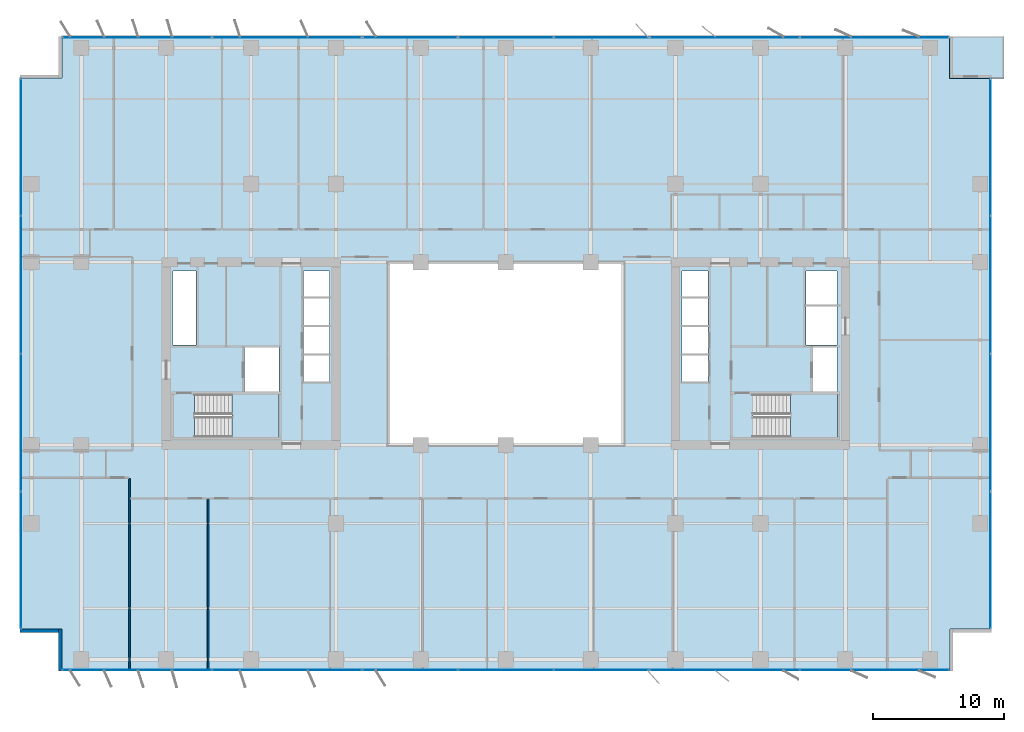
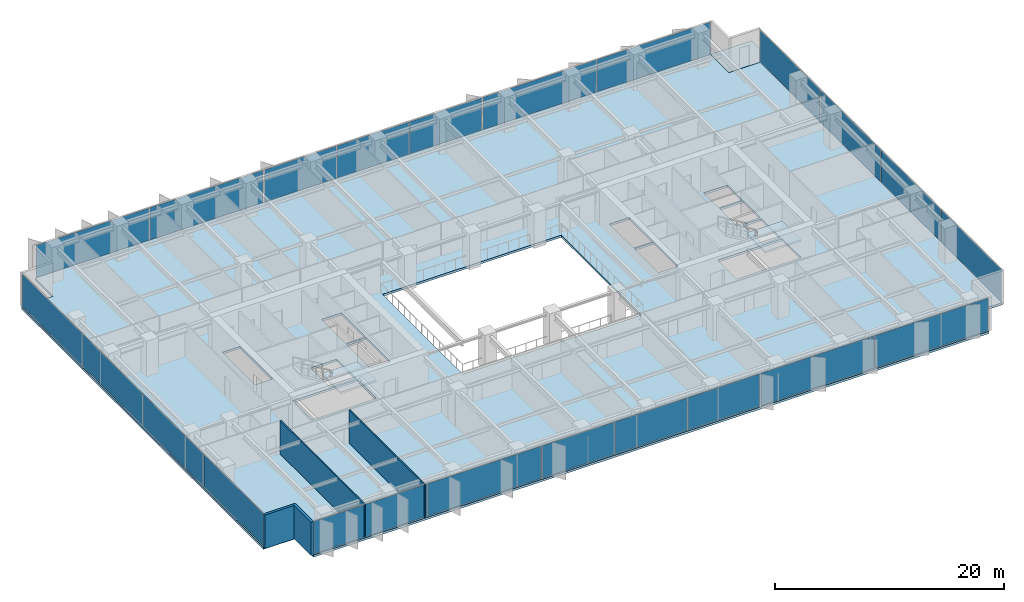
# One storey, part 12 of 20: 22 plates, 4 slabs, 4 walls, 10 elements without a shape of their own.
"""IFC4 building model written with IfcOpenShell, lengths in metres."""

from ifc_helpers import new_model, si_unit, direction, frame, frame_2d, origin, origin_2d, place, context, subcontext, project, spatial, polyline, rectangle, outline, extrude, material, layer, layer_set, type_object, element, aggregate, save


model = new_model("IFC4")

# Units and contexts
model_context = context("Model", 3, precision=1e-05, world=origin(), true_north=direction((0.0, 1.0)))
body_context = subcontext(model_context, "Body", "Model", "MODEL_VIEW")
ifc_project = project(units=[si_unit("LENGTHUNIT", "METRE"), si_unit("AREAUNIT", "SQUARE_METRE"), si_unit("VOLUMEUNIT", "CUBIC_METRE"), si_unit("PLANEANGLEUNIT", "RADIAN"), si_unit("MASSUNIT", "GRAM", prefix="KILO")], contexts=[model_context])

# Site, building, storey
site_placement = place(None, origin())
site = spatial("IfcSite", under=ifc_project, at=site_placement, CompositionType="ELEMENT")
building_placement = place(site_placement, origin())
building = spatial("IfcBuilding", under=site, at=building_placement, Name="Putna Gate Headquarters", CompositionType="ELEMENT")
storey_placement = place(building_placement, frame((0.0, 0.0, 131.60009765625)))
storey = spatial("IfcBuildingStorey", under=building, at=storey_placement, Name="L32", CompositionType="ELEMENT", Elevation=131.60009765625)

# Stair, slab
ifc_material_1 = material(Name="Concrete C40/50", Category="concrete")
stair_type_1 = type_object("IfcStairType", Name="STAIR-ST1", PredefinedType="HALF_TURN_STAIR", material=ifc_material_1)
stair_1_placement = place(storey_placement, origin())
stair_1 = element("IfcStair", 1, at=stair_1_placement, inside=storey, type_object=stair_type_1, Name="L32 West Core Exit Stair ST1", PredefinedType="HALF_TURN_STAIR")
ifc_layer_1 = layer(ifc_material_1, 0.199951171875)
ifc_layer_set_1 = layer_set([ifc_layer_1], Name="Concrete C40/50")
slab_type_1 = type_object("IfcSlabType", Name="LANDING-ST1", PredefinedType="LANDING", material=ifc_layer_set_1)
slab_1_placement = place(storey_placement, frame((0.0, 0.0, 1.699951171875)))
slab_1 = element("IfcSlab", 2, at=slab_1_placement, type_object=slab_type_1, Name="ST1 landing 1", PredefinedType="LANDING", context=body_context, shape_type="SweptSolid", body=[
    extrude(outline(polyline([(18.050048828125, 19.60009765625), (21.64990234375, 19.60009765625), (21.64990234375, 22.89990234375), (18.050048828125, 22.89990234375), (18.050048828125, 19.60009765625)])), origin(), (0.0, 0.0, 1.0), 0.199951171875),
])
aggregate(stair_1, [slab_1])

stair_type_2 = type_object("IfcStairType", Name="STAIR-ST2", PredefinedType="HALF_TURN_STAIR", material=ifc_material_1)
stair_2_placement = place(storey_placement, origin())
stair_2 = element("IfcStair", 3, at=stair_2_placement, inside=storey, type_object=stair_type_2, Name="L32 East Core Exit Stair ST2", PredefinedType="HALF_TURN_STAIR")
ifc_layer_2 = layer(ifc_material_1, 0.199951171875)
ifc_layer_set_2 = layer_set([ifc_layer_2], Name="Concrete C40/50")
slab_type_2 = type_object("IfcSlabType", Name="LANDING-ST2", PredefinedType="LANDING", material=ifc_layer_set_2)
slab_2_placement = place(storey_placement, frame((0.0, 0.0, 1.699951171875)))
slab_2 = element("IfcSlab", 4, at=slab_2_placement, type_object=slab_type_2, Name="ST2 landing 1", PredefinedType="LANDING", context=body_context, shape_type="SweptSolid", body=[
    extrude(outline(polyline([(60.800048828125, 19.60009765625), (64.39990234375, 19.60009765625), (64.39990234375, 22.89990234375), (60.800048828125, 22.89990234375), (60.800048828125, 19.60009765625)])), origin(), (0.0, 0.0, 1.0), 0.199951171875),
])
aggregate(stair_2, [slab_2])

# Curtain wall, plates
ifc_material_2 = material(Name="Anodised bronze aluminium curtain wall", Category="aluminium")
ifc_layer_3 = layer(ifc_material_2, 0.159912109375)
ifc_layer_set_3 = layer_set([ifc_layer_3], Name="Anodised bronze aluminium curtain wall")
curtain_wall_type_1 = type_object("IfcCurtainWallType", Name="CW-SYS-Z2", PredefinedType="USERDEFINED", material=ifc_layer_set_3)
curtain_wall_1_placement = place(storey_placement, origin())
curtain_wall_1 = element("IfcCurtainWall", 5, at=curtain_wall_1_placement, inside=storey, type_object=curtain_wall_type_1, Name="L32 South West Curtain Wall", ObjectType="STICK CURTAIN WALL", PredefinedType="USERDEFINED")
ifc_material_3 = material(Name="Solar-control triple low-E glass", Category="glass")
ifc_layer_4 = layer(ifc_material_3, 0.030029296875)
ifc_layer_set_4 = layer_set([ifc_layer_4], Name="Solar-control triple low-E glass")
plate_type_1 = type_object("IfcPlateType", Name="PAN-CWP-2", PredefinedType="CURTAIN_PANEL", material=ifc_layer_set_4)
plate_1_placement = place(storey_placement, frame((10.766357421875, 1.780029296875, 0.06494140625), z_axis=(0.0, 0.0, 1.0), x_axis=(1.0, 0.0, 0.0)))
plate_1 = element("IfcPlate", 6, at=plate_1_placement, type_object=plate_type_1, Name="CWS-2 panel 1.1", PredefinedType="CURTAIN_PANEL", context=body_context, shape_type="SweptSolid", body=[
    extrude(rectangle(XDim=11.402587890625, YDim=0.030029296875, at=origin_2d()), origin(), (0.0, 0.0, 1.0), 3.43505859375),
])
plate_2_placement = place(storey_placement, frame((22.233642578125, 1.780029296875, 0.06494140625), z_axis=(0.0, 0.0, 1.0), x_axis=(1.0, 0.0, 0.0)))
plate_2 = element("IfcPlate", 7, at=plate_2_placement, type_object=plate_type_1, Name="CWS-2 panel 2.1", PredefinedType="CURTAIN_PANEL", context=body_context, shape_type="SweptSolid", body=[
    extrude(rectangle(XDim=11.402587890625, YDim=0.030029296875, at=origin_2d()), origin(), (0.0, 0.0, 1.0), 3.43505859375),
])
aggregate(curtain_wall_1, [plate_1, plate_2])

curtain_wall_2_placement = place(storey_placement, origin())
curtain_wall_2 = element("IfcCurtainWall", 8, at=curtain_wall_2_placement, inside=storey, type_object=curtain_wall_type_1, Name="L32 South East Curtain Wall", ObjectType="STICK CURTAIN WALL", PredefinedType="USERDEFINED")
plate_3_placement = place(storey_placement, frame((55.766357421875, 1.780029296875, 0.06494140625), z_axis=(0.0, 0.0, 1.0), x_axis=(1.0, 0.0, 0.0)))
plate_3 = element("IfcPlate", 9, at=plate_3_placement, type_object=plate_type_1, Name="CWS-2 panel 1.1", PredefinedType="CURTAIN_PANEL", context=body_context, shape_type="SweptSolid", body=[
    extrude(rectangle(XDim=11.402587890625, YDim=0.030029296875, at=origin_2d()), origin(), (0.0, 0.0, 1.0), 3.43505859375),
])
plate_4_placement = place(storey_placement, frame((67.233642578125, 1.780029296875, 0.06494140625), z_axis=(0.0, 0.0, 1.0), x_axis=(1.0, 0.0, 0.0)))
plate_4 = element("IfcPlate", 10, at=plate_4_placement, type_object=plate_type_1, Name="CWS-2 panel 2.1", PredefinedType="CURTAIN_PANEL", context=body_context, shape_type="SweptSolid", body=[
    extrude(rectangle(XDim=11.402587890625, YDim=0.030029296875, at=origin_2d()), origin(), (0.0, 0.0, 1.0), 3.43505859375),
])
aggregate(curtain_wall_2, [plate_3, plate_4])

curtain_wall_3_placement = place(storey_placement, origin())
curtain_wall_3 = element("IfcCurtainWall", 11, at=curtain_wall_3_placement, inside=storey, type_object=curtain_wall_type_1, Name="L32 North West Curtain Wall", ObjectType="STICK CURTAIN WALL", PredefinedType="USERDEFINED")
plate_5_placement = place(storey_placement, frame((10.766357421875, 50.219970703125, 0.06494140625), z_axis=(0.0, 0.0, 1.0), x_axis=(1.0, 0.0, 0.0)))
plate_5 = element("IfcPlate", 12, at=plate_5_placement, type_object=plate_type_1, Name="CWS-2 panel 1.1", PredefinedType="CURTAIN_PANEL", context=body_context, shape_type="SweptSolid", body=[
    extrude(rectangle(XDim=11.402587890625, YDim=0.030029296875, at=origin_2d()), origin(), (0.0, 0.0, 1.0), 3.43505859375),
])
plate_6_placement = place(storey_placement, frame((22.233642578125, 50.219970703125, 0.06494140625), z_axis=(0.0, 0.0, 1.0), x_axis=(1.0, 0.0, 0.0)))
plate_6 = element("IfcPlate", 13, at=plate_6_placement, type_object=plate_type_1, Name="CWS-2 panel 2.1", PredefinedType="CURTAIN_PANEL", context=body_context, shape_type="SweptSolid", body=[
    extrude(rectangle(XDim=11.402587890625, YDim=0.030029296875, at=origin_2d()), origin(), (0.0, 0.0, 1.0), 3.43505859375),
])
aggregate(curtain_wall_3, [plate_5, plate_6])

curtain_wall_4_placement = place(storey_placement, origin())
curtain_wall_4 = element("IfcCurtainWall", 14, at=curtain_wall_4_placement, inside=storey, type_object=curtain_wall_type_1, Name="L32 North East Curtain Wall", ObjectType="STICK CURTAIN WALL", PredefinedType="USERDEFINED")
plate_7_placement = place(storey_placement, frame((55.766357421875, 50.219970703125, 0.06494140625), z_axis=(0.0, 0.0, 1.0), x_axis=(1.0, 0.0, 0.0)))
plate_7 = element("IfcPlate", 15, at=plate_7_placement, type_object=plate_type_1, Name="CWS-2 panel 1.1", PredefinedType="CURTAIN_PANEL", context=body_context, shape_type="SweptSolid", body=[
    extrude(rectangle(XDim=11.402587890625, YDim=0.030029296875, at=origin_2d()), origin(), (0.0, 0.0, 1.0), 3.43505859375),
])
plate_8_placement = place(storey_placement, frame((67.233642578125, 50.219970703125, 0.06494140625), z_axis=(0.0, 0.0, 1.0), x_axis=(1.0, 0.0, 0.0)))
plate_8 = element("IfcPlate", 16, at=plate_8_placement, type_object=plate_type_1, Name="CWS-2 panel 2.1", PredefinedType="CURTAIN_PANEL", context=body_context, shape_type="SweptSolid", body=[
    extrude(rectangle(XDim=11.402587890625, YDim=0.030029296875, at=origin_2d()), origin(), (0.0, 0.0, 1.0), 3.43505859375),
])
aggregate(curtain_wall_4, [plate_7, plate_8])

curtain_wall_5_placement = place(storey_placement, origin())
curtain_wall_5 = element("IfcCurtainWall", 17, at=curtain_wall_5_placement, inside=storey, type_object=curtain_wall_type_1, Name="L32 West Curtain Wall", ObjectType="STICK CURTAIN WALL", PredefinedType="USERDEFINED")
plate_9_placement = place(storey_placement, frame((1.8798828125, 10.191162109375, 0.06494140625), z_axis=(0.0, 0.0, 1.0), x_axis=(0.0, 1.0, 0.0)))
plate_9 = element("IfcPlate", 18, at=plate_9_placement, type_object=plate_type_1, Name="CWS-2 panel 1.1", PredefinedType="CURTAIN_PANEL", context=body_context, shape_type="SweptSolid", body=[
    extrude(rectangle(XDim=10.452392578125, YDim=0.030029296875, at=origin_2d()), origin(), (0.0, 0.0, 1.0), 3.43505859375),
])
plate_10_placement = place(storey_placement, frame((1.8798828125, 20.72509765625, 0.06494140625), z_axis=(0.0, 0.0, 1.0), x_axis=(0.0, 1.0, 0.0)))
plate_10 = element("IfcPlate", 19, at=plate_10_placement, type_object=plate_type_1, Name="CWS-2 panel 2.1", PredefinedType="CURTAIN_PANEL", context=body_context, shape_type="SweptSolid", body=[
    extrude(rectangle(XDim=10.485107421875, YDim=0.030029296875, at=origin_2d()), origin(), (0.0, 0.0, 1.0), 3.43505859375),
])
plate_11_placement = place(storey_placement, frame((1.8798828125, 31.27490234375, 0.06494140625), z_axis=(0.0, 0.0, 1.0), x_axis=(0.0, 1.0, 0.0)))
plate_11 = element("IfcPlate", 20, at=plate_11_placement, type_object=plate_type_1, Name="CWS-2 panel 3.1", PredefinedType="CURTAIN_PANEL", context=body_context, shape_type="SweptSolid", body=[
    extrude(rectangle(XDim=10.485107421875, YDim=0.030029296875, at=origin_2d()), origin(), (0.0, 0.0, 1.0), 3.43505859375),
])
plate_12_placement = place(storey_placement, frame((1.8798828125, 41.808837890625, 0.06494140625), z_axis=(0.0, 0.0, 1.0), x_axis=(0.0, 1.0, 0.0)))
plate_12 = element("IfcPlate", 21, at=plate_12_placement, type_object=plate_type_1, Name="CWS-2 panel 4.1", PredefinedType="CURTAIN_PANEL", context=body_context, shape_type="SweptSolid", body=[
    extrude(rectangle(XDim=10.452392578125, YDim=0.030029296875, at=origin_2d()), origin(), (0.0, 0.0, 1.0), 3.43505859375),
])
aggregate(curtain_wall_5, [plate_9, plate_10, plate_11, plate_12])

curtain_wall_6_placement = place(storey_placement, origin())
curtain_wall_6 = element("IfcCurtainWall", 22, at=curtain_wall_6_placement, inside=storey, type_object=curtain_wall_type_1, Name="L32 East Curtain Wall", ObjectType="STICK CURTAIN WALL", PredefinedType="USERDEFINED")
plate_13_placement = place(storey_placement, frame((76.1201171875, 10.191162109375, 0.06494140625), z_axis=(0.0, 0.0, 1.0), x_axis=(0.0, 1.0, 0.0)))
plate_13 = element("IfcPlate", 23, at=plate_13_placement, type_object=plate_type_1, Name="CWS-2 panel 1.1", PredefinedType="CURTAIN_PANEL", context=body_context, shape_type="SweptSolid", body=[
    extrude(rectangle(XDim=10.452392578125, YDim=0.030029296875, at=origin_2d()), origin(), (0.0, 0.0, 1.0), 3.43505859375),
])
plate_14_placement = place(storey_placement, frame((76.1201171875, 20.72509765625, 0.06494140625), z_axis=(0.0, 0.0, 1.0), x_axis=(0.0, 1.0, 0.0)))
plate_14 = element("IfcPlate", 24, at=plate_14_placement, type_object=plate_type_1, Name="CWS-2 panel 2.1", PredefinedType="CURTAIN_PANEL", context=body_context, shape_type="SweptSolid", body=[
    extrude(rectangle(XDim=10.485107421875, YDim=0.030029296875, at=origin_2d()), origin(), (0.0, 0.0, 1.0), 3.43505859375),
])
plate_15_placement = place(storey_placement, frame((76.1201171875, 31.27490234375, 0.06494140625), z_axis=(0.0, 0.0, 1.0), x_axis=(0.0, 1.0, 0.0)))
plate_15 = element("IfcPlate", 25, at=plate_15_placement, type_object=plate_type_1, Name="CWS-2 panel 3.1", PredefinedType="CURTAIN_PANEL", context=body_context, shape_type="SweptSolid", body=[
    extrude(rectangle(XDim=10.485107421875, YDim=0.030029296875, at=origin_2d()), origin(), (0.0, 0.0, 1.0), 3.43505859375),
])
plate_16_placement = place(storey_placement, frame((76.1201171875, 41.808837890625, 0.06494140625), z_axis=(0.0, 0.0, 1.0), x_axis=(0.0, 1.0, 0.0)))
plate_16 = element("IfcPlate", 26, at=plate_16_placement, type_object=plate_type_1, Name="CWS-2 panel 4.1", PredefinedType="CURTAIN_PANEL", context=body_context, shape_type="SweptSolid", body=[
    extrude(rectangle(XDim=10.452392578125, YDim=0.030029296875, at=origin_2d()), origin(), (0.0, 0.0, 1.0), 3.43505859375),
])
aggregate(curtain_wall_6, [plate_13, plate_14, plate_15, plate_16])

ifc_layer_5 = layer(ifc_material_2, 0.179931640625)
ifc_layer_set_5 = layer_set([ifc_layer_5], Name="Anodised bronze aluminium curtain wall")
curtain_wall_type_2 = type_object("IfcCurtainWallType", Name="CW-SYS-ATR", PredefinedType="USERDEFINED", material=ifc_layer_set_5)
curtain_wall_7_placement = place(storey_placement, origin())
curtain_wall_7 = element("IfcCurtainWall", 27, at=curtain_wall_7_placement, inside=storey, type_object=curtain_wall_type_2, Name="L32 South Atrium Clear Glazing", ObjectType="ATRIUM GLAZING", PredefinedType="USERDEFINED")
ifc_material_4 = material(Name="Clear low-iron triple glazing", Category="glass")
ifc_layer_6 = layer(ifc_material_4, 0.0400390625)
ifc_layer_set_6 = layer_set([ifc_layer_6], Name="Clear low-iron triple glazing")
plate_type_2 = type_object("IfcPlateType", Name="PAN-CWP-AT", PredefinedType="CURTAIN_PANEL", material=ifc_layer_set_6)
plate_17_placement = place(storey_placement, frame((31.68408203125, 1.780029296875, 0.06982421875), z_axis=(0.0, 0.0, 1.0), x_axis=(1.0, 0.0, 0.0)))
plate_17 = element("IfcPlate", 28, at=plate_17_placement, type_object=plate_type_2, Name="CWS-AT panel 1.1", PredefinedType="CURTAIN_PANEL", context=body_context, shape_type="SweptSolid", body=[
    extrude(rectangle(XDim=7.228271484375, YDim=0.0400390625, at=origin_2d()), origin(), (0.0, 0.0, 1.0), 3.425048828125),
])
plate_18_placement = place(storey_placement, frame((39.0, 1.780029296875, 0.06982421875), z_axis=(0.0, 0.0, 1.0), x_axis=(1.0, 0.0, 0.0)))
plate_18 = element("IfcPlate", 29, at=plate_18_placement, type_object=plate_type_2, Name="CWS-AT panel 2.1", PredefinedType="CURTAIN_PANEL", context=body_context, shape_type="SweptSolid", body=[
    extrude(rectangle(XDim=7.263427734375, YDim=0.0400390625, at=origin_2d()), origin(), (0.0, 0.0, 1.0), 3.425048828125),
])
plate_19_placement = place(storey_placement, frame((46.31591796875, 1.780029296875, 0.06982421875), z_axis=(0.0, 0.0, 1.0), x_axis=(1.0, 0.0, 0.0)))
plate_19 = element("IfcPlate", 30, at=plate_19_placement, type_object=plate_type_2, Name="CWS-AT panel 3.1", PredefinedType="CURTAIN_PANEL", context=body_context, shape_type="SweptSolid", body=[
    extrude(rectangle(XDim=7.228271484375, YDim=0.0400390625, at=origin_2d()), origin(), (0.0, 0.0, 1.0), 3.425048828125),
])
aggregate(curtain_wall_7, [plate_17, plate_18, plate_19])

curtain_wall_8_placement = place(storey_placement, origin())
curtain_wall_8 = element("IfcCurtainWall", 31, at=curtain_wall_8_placement, inside=storey, type_object=curtain_wall_type_2, Name="L32 North Atrium Clear Glazing", ObjectType="ATRIUM GLAZING", PredefinedType="USERDEFINED")
plate_20_placement = place(storey_placement, frame((31.68408203125, 50.219970703125, 0.06982421875), z_axis=(0.0, 0.0, 1.0), x_axis=(1.0, 0.0, 0.0)))
plate_20 = element("IfcPlate", 32, at=plate_20_placement, type_object=plate_type_2, Name="CWS-AT panel 1.1", PredefinedType="CURTAIN_PANEL", context=body_context, shape_type="SweptSolid", body=[
    extrude(rectangle(XDim=7.228271484375, YDim=0.0400390625, at=origin_2d()), origin(), (0.0, 0.0, 1.0), 3.425048828125),
])
plate_21_placement = place(storey_placement, frame((39.0, 50.219970703125, 0.06982421875), z_axis=(0.0, 0.0, 1.0), x_axis=(1.0, 0.0, 0.0)))
plate_21 = element("IfcPlate", 33, at=plate_21_placement, type_object=plate_type_2, Name="CWS-AT panel 2.1", PredefinedType="CURTAIN_PANEL", context=body_context, shape_type="SweptSolid", body=[
    extrude(rectangle(XDim=7.263427734375, YDim=0.0400390625, at=origin_2d()), origin(), (0.0, 0.0, 1.0), 3.425048828125),
])
plate_22_placement = place(storey_placement, frame((46.31591796875, 50.219970703125, 0.06982421875), z_axis=(0.0, 0.0, 1.0), x_axis=(1.0, 0.0, 0.0)))
plate_22 = element("IfcPlate", 34, at=plate_22_placement, type_object=plate_type_2, Name="CWS-AT panel 3.1", PredefinedType="CURTAIN_PANEL", context=body_context, shape_type="SweptSolid", body=[
    extrude(rectangle(XDim=7.228271484375, YDim=0.0400390625, at=origin_2d()), origin(), (0.0, 0.0, 1.0), 3.425048828125),
])
aggregate(curtain_wall_8, [plate_20, plate_21, plate_22])

# Slabs
ifc_layer_7 = layer(ifc_material_1, 0.179931640625)
ifc_layer_set_7 = layer_set([ifc_layer_7], Name="Concrete C40/50")
slab_type_3 = type_object("IfcSlabType", Name="SLAB-TERRACE-180", PredefinedType="FLOOR", material=ifc_layer_set_7)
slab_3_placement = place(storey_placement, frame((0.0, 0.0, -0.18017578125)))
element("IfcSlab", 35, at=slab_3_placement, inside=storey, type_object=slab_type_3, Name="L32 Spiral Sky-Garden Terrace Slab (NE)", PredefinedType="FLOOR", context=body_context, shape_type="SweptSolid", body=[
    extrude(outline(polyline([(72.991943359375, 47.092041015625), (77.14990234375, 47.092041015625), (77.14990234375, 50.300048828125), (72.991943359375, 50.300048828125), (72.991943359375, 47.092041015625)])), origin(), (0.0, 0.0, 1.0), 0.18017578125),
])
ifc_layer_8 = layer(ifc_material_1, 0.235107421875)
ifc_layer_set_8 = layer_set([ifc_layer_8], Name="Concrete C40/50")
slab_type_4 = type_object("IfcSlabType", Name="SLAB-Z2-235", PredefinedType="FLOOR", material=ifc_layer_set_8)
slab_4_placement = place(storey_placement, frame((0.0, 0.0, -0.235107421875)))
element("IfcSlab", 36, at=slab_4_placement, inside=storey, type_object=slab_type_4, Name="L32 Composite Floor Slab", PredefinedType="FLOOR", context=body_context, shape_type="SweptSolid", body=[
    extrude(outline(polyline([(5.0, 1.699951171875), (73.0, 1.699951171875), (73.0, 4.89990234375), (76.199951171875, 4.89990234375), (76.199951171875, 47.10009765625), (73.0, 47.10009765625), (73.0, 50.300048828125), (5.0, 50.300048828125), (5.0, 47.10009765625), (1.800048828125, 47.10009765625), (1.800048828125, 4.89990234375), (5.0, 4.89990234375), (5.0, 1.699951171875)]), holes=[polyline([(15.1650390625, 19.60009765625), (21.64990234375, 19.60009765625), (21.64990234375, 22.89990234375), (15.1650390625, 22.89990234375), (15.1650390625, 19.60009765625)]), polyline([(57.9150390625, 19.60009765625), (64.39990234375, 19.60009765625), (64.39990234375, 22.89990234375), (57.9150390625, 22.89990234375), (57.9150390625, 19.60009765625)]), polyline([(13.52001953125, 26.659912109375), (15.280029296875, 26.659912109375), (15.280029296875, 32.35009765625), (13.52001953125, 32.35009765625), (13.52001953125, 26.659912109375)]), polyline([(61.969970703125, 29.780029296875), (64.35009765625, 29.780029296875), (64.35009765625, 32.35009765625), (61.969970703125, 32.35009765625), (61.969970703125, 29.780029296875)]), polyline([(18.97998046875, 23.1201171875), (21.6201171875, 23.1201171875), (21.6201171875, 26.4599609375), (18.97998046875, 26.4599609375), (18.97998046875, 23.1201171875)]), polyline([(62.52001953125, 23.1201171875), (64.35009765625, 23.1201171875), (64.35009765625, 26.4599609375), (62.52001953125, 26.4599609375), (62.52001953125, 23.1201171875)]), polyline([(61.969970703125, 26.659912109375), (64.35009765625, 26.659912109375), (64.35009765625, 29.6201171875), (61.969970703125, 29.6201171875), (61.969970703125, 26.659912109375)]), polyline([(23.5, 23.860107421875), (25.5, 23.860107421875), (25.5, 28.0400390625), (23.5, 28.0400390625), (23.5, 23.860107421875)]), polyline([(52.47998046875, 23.860107421875), (54.5, 23.860107421875), (54.5, 28.0400390625), (52.47998046875, 28.0400390625), (52.47998046875, 23.860107421875)]), polyline([(23.5, 28.199951171875), (25.5, 28.199951171875), (25.5, 32.35009765625), (23.5, 32.35009765625), (23.5, 28.199951171875)]), polyline([(52.47998046875, 28.199951171875), (54.5, 28.199951171875), (54.5, 32.35009765625), (52.47998046875, 32.35009765625), (52.47998046875, 28.199951171875)]), polyline([(30.0, 19.0), (48.0, 19.0), (48.0, 33.0), (30.0, 33.0), (30.0, 19.0)])]), origin(), (0.0, 0.0, 1.0), 0.235107421875),
])

# Walls
ifc_material_5 = material(Name="Precast concrete C40/50", Category="concrete")
ifc_layer_9 = layer(ifc_material_5, 0.239990234375)
ifc_layer_set_9 = layer_set([ifc_layer_9], Name="Precast concrete C40/50")
wall_type_1 = type_object("IfcWallType", Name="WALL-EXT-TERR-240", PredefinedType="STANDARD", material=ifc_layer_set_9)
for number, where, z_axis, x_axis, name in (
    (37, (4.8798828125, 1.699951171875, 0.0), (0.0, 0.0, 1.0), (0.0, 1.0, 0.0), "L32 Corner Notch Return Wall SW-V"),
    (38, (5.0, 4.780029296875, 0.0), (0.0, 0.0, 1.0), (-1.0, 0.0, 0.0), "L32 Corner Notch Return Wall SW-H"),
):
    element("IfcWall", number, at=place(storey_placement, frame(where, z_axis=z_axis, x_axis=x_axis)), inside=storey, type_object=wall_type_1, Name=name, PredefinedType="STANDARD", context=body_context, shape_type="SweptSolid", body=[
        extrude(rectangle(XDim=3.199951171875, YDim=0.239990234375, at=frame_2d((1.60009765625, 0.0))), origin(), (0.0, 0.0, 1.0), 3.56494140625),
    ])
ifc_material_6 = material(Name="Acoustic gypsum board on metal stud")
ifc_layer_10 = layer(ifc_material_6, 0.1201171875)
ifc_layer_set_10 = layer_set([ifc_layer_10], Name="Acoustic gypsum board on metal stud")
wall_type_2 = type_object("IfcWallType", Name="WALL-PART-120", PredefinedType="PARTITIONING", material=ifc_layer_set_10)
wall_1_placement = place(storey_placement, frame((10.19091796875, 1.719970703125, 0.0), z_axis=(0.0, 0.0, 1.0), x_axis=(0.0, 1.0, 0.0)))
element("IfcWall", 39, at=wall_1_placement, inside=storey, type_object=wall_type_2, Name="L32 Interior Wall PART-L32-SB-DIV-01", PredefinedType="PARTITIONING", context=body_context, shape_type="SweptSolid", body=[
    extrude(rectangle(XDim=14.719970703125, YDim=0.1201171875, at=frame_2d((7.35986328125, 0.0))), origin(), (0.0, 0.0, 1.0), 3.56494140625),
])
wall_2_placement = place(storey_placement, frame((16.21044921875, 1.719970703125, 0.0), z_axis=(0.0, 0.0, 1.0), x_axis=(0.0, 1.0, 0.0)))
element("IfcWall", 40, at=wall_2_placement, inside=storey, type_object=wall_type_2, Name="L32 Interior Wall PART-L32-SB-DIV-02", PredefinedType="PARTITIONING", context=body_context, shape_type="SweptSolid", body=[
    extrude(rectangle(XDim=13.1201171875, YDim=0.1201171875, at=frame_2d((6.56005859375, 0.0))), origin(), (0.0, 0.0, 1.0), 3.56494140625),
])

save(model, "model.ifc")
